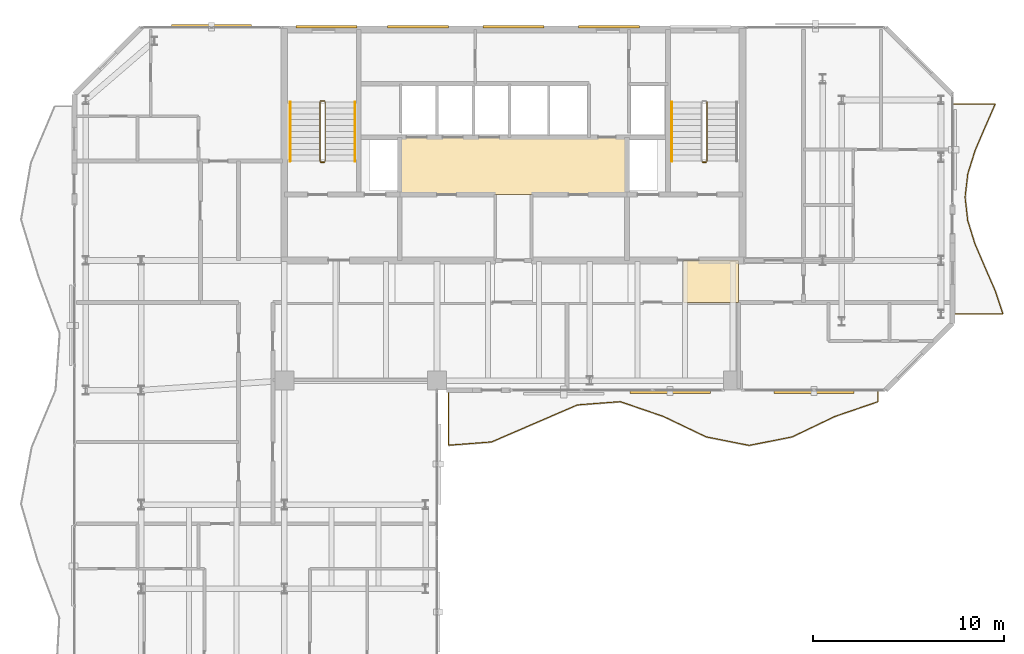
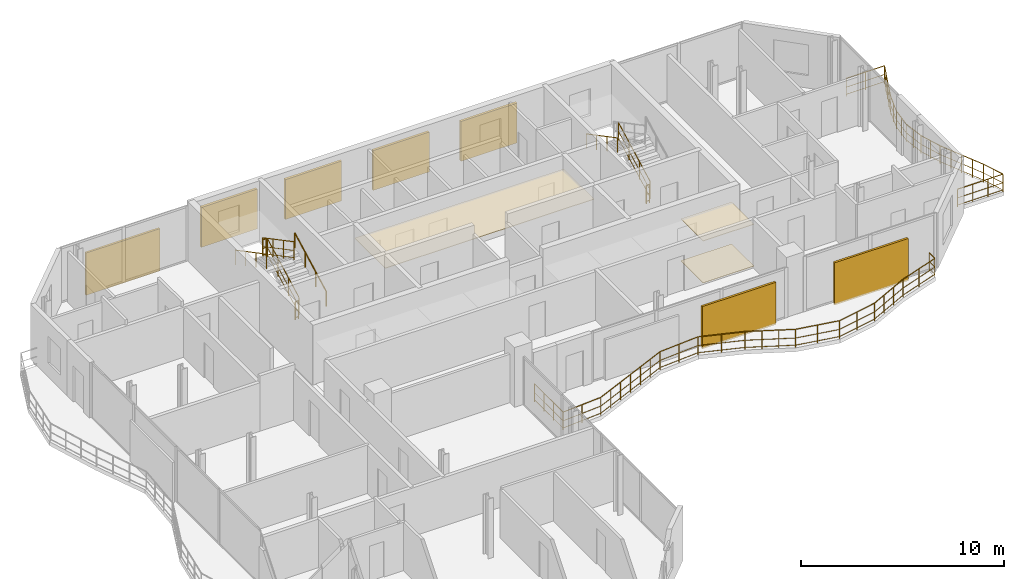
# One storey, part 22 of 23: 11 railings, 7 shading devices, 3 coverings.
"""IFC4 building model written with IfcOpenShell, lengths in metres."""

from ifc_helpers import new_model, si_unit, direction, frame, origin, origin_2d, place, context, subcontext, project, spatial, polyline, rectangle, circle, outline, extrude, material, layer, layer_set, type_object, element, save


model = new_model("IFC4")

# Units and contexts
model_context = context("Model", 3, precision=1e-05, world=origin(), true_north=direction((0.0, 1.0)))
body_context = subcontext(model_context, "Body", "Model", "MODEL_VIEW")
ifc_project = project(units=[si_unit("LENGTHUNIT", "METRE"), si_unit("AREAUNIT", "SQUARE_METRE"), si_unit("VOLUMEUNIT", "CUBIC_METRE"), si_unit("PLANEANGLEUNIT", "RADIAN"), si_unit("MASSUNIT", "GRAM", prefix="KILO")], contexts=[model_context])

# Site, building, storey
site_placement = place(None, origin())
site = spatial("IfcSite", under=ifc_project, at=site_placement, CompositionType="ELEMENT")
building_placement = place(site_placement, origin())
building = spatial("IfcBuilding", under=site, at=building_placement, Name="Catumbela Crestline Tower", CompositionType="ELEMENT")
storey_placement = place(building_placement, frame((0.0, 0.0, 197.4)))
storey = spatial("IfcBuildingStorey", under=building, at=storey_placement, Name="L51", CompositionType="ELEMENT", Elevation=197.4)

# Coverings
ifc_material_1 = material(Name="Mineral-fibre acoustic ceiling")
ifc_layer_1 = layer(ifc_material_1, 0.03, Name="Mineral-fibre acoustic ceiling")
ifc_layer_set_1 = layer_set([ifc_layer_1], Name="Mineral-fibre acoustic ceiling")
covering_type_1 = type_object("IfcCoveringType", Name="CC-AC", PredefinedType="CEILING", material=ifc_layer_set_1)
covering_1_placement = place(storey_placement, frame((0.0, 0.0, 2.65)))
element("IfcCovering", 1, at=covering_1_placement, inside=storey, type_object=covering_type_1, Name="L51 Lift Lobby Acoustic Ceiling", PredefinedType="CEILING", context=body_context, shape_type="SweptSolid", body=[
    extrude(outline(polyline([(22.05, 34.25), (33.95, 34.25), (33.95, 37.25), (22.05, 37.25), (22.05, 34.25)])), origin(), (0.0, 0.0, 1.0), 0.03),
])
covering_2_placement = place(storey_placement, frame((0.0, 0.0, 2.52)))
element("IfcCovering", 2, at=covering_2_placement, inside=storey, type_object=covering_type_1, Name="L51 Corridor Acoustic Ceiling Bay 8", PredefinedType="CEILING", context=body_context, shape_type="SweptSolid", body=[
    extrude(outline(polyline([(36.9, 28.6), (39.8, 28.6), (39.8, 30.8), (36.9, 30.8), (36.9, 28.6)])), origin(), (0.0, 0.0, 1.0), 0.03),
])
ifc_material_2 = material(Name="Angolan grey-ochre granite", Category="masonry")
ifc_layer_2 = layer(ifc_material_2, 0.025, Name="Angolan grey-ochre granite")
ifc_layer_set_2 = layer_set([ifc_layer_2], Name="Angolan grey-ochre granite")
covering_type_2 = type_object("IfcCoveringType", Name="CF-GR", PredefinedType="FLOORING", material=ifc_layer_set_2)
covering_3_placement = place(storey_placement, origin())
element("IfcCovering", 3, at=covering_3_placement, inside=storey, type_object=covering_type_2, Name="L51 Corridor Granite Flooring Bay 8", PredefinedType="FLOORING", context=body_context, shape_type="SweptSolid", body=[
    extrude(outline(polyline([(36.9, 28.6), (39.8, 28.6), (39.8, 30.8), (36.9, 30.8), (36.9, 28.6)])), origin(), (0.0, 0.0, 1.0), 0.025),
])

# Railings
ifc_material_3 = material(Name="Stainless steel EN 1.4401", Category="steel")
railing_type_1 = type_object("IfcRailingType", Name="RB-1100", PredefinedType="BALUSTRADE", material=ifc_material_3)
railing_1_placement = place(storey_placement, frame((24.6, 23.94, 0.0)))
element("IfcRailing", 4, at=railing_1_placement, inside=storey, type_object=railing_type_1, Name="L51 Private Wave Balcony Balustrade 1", PredefinedType="BALUSTRADE", context=body_context, shape_type="SweptSolid", body=[
    extrude(circle(Radius=0.024, at=origin_2d()), frame((0.0, 0.0, 1.076), z_axis=(0.0, -1.0, 0.0), x_axis=(1.0, 0.0, 0.0)), (0.0, 0.0, 1.0), 2.8213),
    extrude(circle(Radius=0.0156, at=origin_2d()), frame((0.0, 0.0, 0.55), z_axis=(0.0, -1.0, 0.0), x_axis=(1.0, 0.0, 0.0)), (0.0, 0.0, 1.0), 2.8213),
    extrude(circle(Radius=0.0156, at=origin_2d()), frame((0.0, 0.0, 0.12), z_axis=(0.0, -1.0, 0.0), x_axis=(1.0, 0.0, 0.0)), (0.0, 0.0, 1.0), 2.8213),
    extrude(circle(Radius=0.024, at=origin_2d()), frame((0.0, -2.8213, 1.076), z_axis=(0.997141170455, 0.075561142028, 0.0), x_axis=(-0.075561142028, 0.997141170455, 0.0)), (0.0, 0.0, 1.0), 2.2565),
    extrude(circle(Radius=0.0156, at=origin_2d()), frame((0.0, -2.8213, 0.55), z_axis=(0.997141170455, 0.075561142028, 0.0), x_axis=(-0.075561142028, 0.997141170455, 0.0)), (0.0, 0.0, 1.0), 2.2565),
    extrude(circle(Radius=0.0156, at=origin_2d()), frame((0.0, -2.8213, 0.12), z_axis=(0.997141170455, 0.075561142028, 0.0), x_axis=(-0.075561142028, 0.997141170455, 0.0)), (0.0, 0.0, 1.0), 2.2565),
    extrude(circle(Radius=0.024, at=origin_2d()), frame((2.25, -2.6508, 1.076), z_axis=(0.918179780553, 0.396163969316, 0.0), x_axis=(-0.396163969316, 0.918179780553, 0.0)), (0.0, 0.0, 1.0), 2.4505),
    extrude(circle(Radius=0.0156, at=origin_2d()), frame((2.25, -2.6508, 0.55), z_axis=(0.918179780553, 0.396163969316, 0.0), x_axis=(-0.396163969316, 0.918179780553, 0.0)), (0.0, 0.0, 1.0), 2.4505),
    extrude(circle(Radius=0.0156, at=origin_2d()), frame((2.25, -2.6508, 0.12), z_axis=(0.918179780553, 0.396163969316, 0.0), x_axis=(-0.396163969316, 0.918179780553, 0.0)), (0.0, 0.0, 1.0), 2.4505),
    extrude(circle(Radius=0.024, at=origin_2d()), frame((4.5, -1.68, 1.076), z_axis=(0.918179780553, 0.396163969316, 0.0), x_axis=(-0.396163969316, 0.918179780553, 0.0)), (0.0, 0.0, 1.0), 2.4505),
    extrude(circle(Radius=0.0156, at=origin_2d()), frame((4.5, -1.68, 0.55), z_axis=(0.918179780553, 0.396163969316, 0.0), x_axis=(-0.396163969316, 0.918179780553, 0.0)), (0.0, 0.0, 1.0), 2.4505),
    extrude(circle(Radius=0.0156, at=origin_2d()), frame((4.5, -1.68, 0.12), z_axis=(0.918179780553, 0.396163969316, 0.0), x_axis=(-0.396163969316, 0.918179780553, 0.0)), (0.0, 0.0, 1.0), 2.4505),
    extrude(circle(Radius=0.024, at=origin_2d()), frame((6.75, -0.7092, 1.076), z_axis=(0.997141170455, 0.075561142028, 0.0), x_axis=(-0.075561142028, 0.997141170455, 0.0)), (0.0, 0.0, 1.0), 2.2565),
    extrude(circle(Radius=0.0156, at=origin_2d()), frame((6.75, -0.7092, 0.55), z_axis=(0.997141170455, 0.075561142028, 0.0), x_axis=(-0.075561142028, 0.997141170455, 0.0)), (0.0, 0.0, 1.0), 2.2565),
    extrude(circle(Radius=0.0156, at=origin_2d()), frame((6.75, -0.7092, 0.12), z_axis=(0.997141170455, 0.075561142028, 0.0), x_axis=(-0.075561142028, 0.997141170455, 0.0)), (0.0, 0.0, 1.0), 2.2565),
    extrude(circle(Radius=0.024, at=origin_2d()), frame((9.0, -0.5387, 1.076), z_axis=(0.946065665735, -0.323974931311, 0.0), x_axis=(0.323974931311, 0.946065665735, 0.0)), (0.0, 0.0, 1.0), 2.3783),
    extrude(circle(Radius=0.0156, at=origin_2d()), frame((9.0, -0.5387, 0.55), z_axis=(0.946065665735, -0.323974931311, 0.0), x_axis=(0.323974931311, 0.946065665735, 0.0)), (0.0, 0.0, 1.0), 2.3783),
    extrude(circle(Radius=0.0156, at=origin_2d()), frame((9.0, -0.5387, 0.12), z_axis=(0.946065665735, -0.323974931311, 0.0), x_axis=(0.323974931311, 0.946065665735, 0.0)), (0.0, 0.0, 1.0), 2.3783),
    extrude(circle(Radius=0.024, at=origin_2d()), frame((11.25, -1.3092, 1.076), z_axis=(0.902132186045, -0.431459753513, 0.0), x_axis=(0.431459753513, 0.902132186045, 0.0)), (0.0, 0.0, 1.0), 2.4941),
    extrude(circle(Radius=0.0156, at=origin_2d()), frame((11.25, -1.3092, 0.55), z_axis=(0.902132186045, -0.431459753513, 0.0), x_axis=(0.431459753513, 0.902132186045, 0.0)), (0.0, 0.0, 1.0), 2.4941),
    extrude(circle(Radius=0.0156, at=origin_2d()), frame((11.25, -1.3092, 0.12), z_axis=(0.902132186045, -0.431459753513, 0.0), x_axis=(0.431459753513, 0.902132186045, 0.0)), (0.0, 0.0, 1.0), 2.4941),
    extrude(circle(Radius=0.024, at=origin_2d()), frame((13.5, -2.3853, 1.076), z_axis=(0.981022553047, -0.193893657484, 0.0), x_axis=(0.193893657484, 0.981022553047, 0.0)), (0.0, 0.0, 1.0), 2.2935),
    extrude(circle(Radius=0.0156, at=origin_2d()), frame((13.5, -2.3853, 0.55), z_axis=(0.981022553047, -0.193893657484, 0.0), x_axis=(0.193893657484, 0.981022553047, 0.0)), (0.0, 0.0, 1.0), 2.2935),
    extrude(circle(Radius=0.0156, at=origin_2d()), frame((13.5, -2.3853, 0.12), z_axis=(0.981022553047, -0.193893657484, 0.0), x_axis=(0.193893657484, 0.981022553047, 0.0)), (0.0, 0.0, 1.0), 2.2935),
    extrude(circle(Radius=0.024, at=origin_2d()), frame((15.75, -2.83, 1.076), z_axis=(0.981022553047, 0.193893657484, 0.0), x_axis=(-0.193893657484, 0.981022553047, 0.0)), (0.0, 0.0, 1.0), 2.2935),
    extrude(circle(Radius=0.0156, at=origin_2d()), frame((15.75, -2.83, 0.55), z_axis=(0.981022553047, 0.193893657484, 0.0), x_axis=(-0.193893657484, 0.981022553047, 0.0)), (0.0, 0.0, 1.0), 2.2935),
    extrude(circle(Radius=0.0156, at=origin_2d()), frame((15.75, -2.83, 0.12), z_axis=(0.981022553047, 0.193893657484, 0.0), x_axis=(-0.193893657484, 0.981022553047, 0.0)), (0.0, 0.0, 1.0), 2.2935),
    extrude(circle(Radius=0.024, at=origin_2d()), frame((18.0, -2.3853, 1.076), z_axis=(0.902132186045, 0.431459753513, 0.0), x_axis=(-0.431459753513, 0.902132186045, 0.0)), (0.0, 0.0, 1.0), 2.4941),
    extrude(circle(Radius=0.0156, at=origin_2d()), frame((18.0, -2.3853, 0.55), z_axis=(0.902132186045, 0.431459753513, 0.0), x_axis=(-0.431459753513, 0.902132186045, 0.0)), (0.0, 0.0, 1.0), 2.4941),
    extrude(circle(Radius=0.0156, at=origin_2d()), frame((18.0, -2.3853, 0.12), z_axis=(0.902132186045, 0.431459753513, 0.0), x_axis=(-0.431459753513, 0.902132186045, 0.0)), (0.0, 0.0, 1.0), 2.4941),
    extrude(circle(Radius=0.024, at=origin_2d()), frame((20.25, -1.3092, 1.076), z_axis=(0.946065665735, 0.323974931311, 0.0), x_axis=(-0.323974931311, 0.946065665735, 0.0)), (0.0, 0.0, 1.0), 2.3783),
    extrude(circle(Radius=0.0156, at=origin_2d()), frame((20.25, -1.3092, 0.55), z_axis=(0.946065665735, 0.323974931311, 0.0), x_axis=(-0.323974931311, 0.946065665735, 0.0)), (0.0, 0.0, 1.0), 2.3783),
    extrude(circle(Radius=0.0156, at=origin_2d()), frame((20.25, -1.3092, 0.12), z_axis=(0.946065665735, 0.323974931311, 0.0), x_axis=(-0.323974931311, 0.946065665735, 0.0)), (0.0, 0.0, 1.0), 2.3783),
    extrude(circle(Radius=0.024, at=origin_2d()), frame((22.5, -0.5387, 1.076), z_axis=(0.0, 1.0, 0.0), x_axis=(-1.0, 0.0, 0.0)), (0.0, 0.0, 1.0), 0.5387),
    extrude(circle(Radius=0.0156, at=origin_2d()), frame((22.5, -0.5387, 0.55), z_axis=(0.0, 1.0, 0.0), x_axis=(-1.0, 0.0, 0.0)), (0.0, 0.0, 1.0), 0.5387),
    extrude(circle(Radius=0.0156, at=origin_2d()), frame((22.5, -0.5387, 0.12), z_axis=(0.0, 1.0, 0.0), x_axis=(-1.0, 0.0, 0.0)), (0.0, 0.0, 1.0), 0.5387),
    extrude(circle(Radius=0.021, at=origin_2d()), origin(), (0.0, 0.0, 1.0), 1.052),
    extrude(circle(Radius=0.021, at=origin_2d()), frame((0.0, -0.9404, 0.0)), (0.0, 0.0, 1.0), 1.052),
    extrude(circle(Radius=0.021, at=origin_2d()), frame((0.0, -1.8809, 0.0)), (0.0, 0.0, 1.0), 1.052),
    extrude(circle(Radius=0.021, at=origin_2d()), frame((0.0, -2.8213, 0.0)), (0.0, 0.0, 1.0), 1.052),
    extrude(circle(Radius=0.021, at=origin_2d()), frame((1.125, -2.7361, 0.0)), (0.0, 0.0, 1.0), 1.052),
    extrude(circle(Radius=0.021, at=origin_2d()), frame((2.25, -2.6508, 0.0)), (0.0, 0.0, 1.0), 1.052),
    extrude(circle(Radius=0.021, at=origin_2d()), frame((3.0, -2.3272, 0.0)), (0.0, 0.0, 1.0), 1.052),
    extrude(circle(Radius=0.021, at=origin_2d()), frame((3.75, -2.0036, 0.0)), (0.0, 0.0, 1.0), 1.052),
    extrude(circle(Radius=0.021, at=origin_2d()), frame((4.5, -1.68, 0.0)), (0.0, 0.0, 1.0), 1.052),
    extrude(circle(Radius=0.021, at=origin_2d()), frame((5.25, -1.3564, 0.0)), (0.0, 0.0, 1.0), 1.052),
    extrude(circle(Radius=0.021, at=origin_2d()), frame((6.0, -1.0328, 0.0)), (0.0, 0.0, 1.0), 1.052),
    extrude(circle(Radius=0.021, at=origin_2d()), frame((6.75, -0.7092, 0.0)), (0.0, 0.0, 1.0), 1.052),
    extrude(circle(Radius=0.021, at=origin_2d()), frame((7.875, -0.624, 0.0)), (0.0, 0.0, 1.0), 1.052),
    extrude(circle(Radius=0.021, at=origin_2d()), frame((9.0, -0.5387, 0.0)), (0.0, 0.0, 1.0), 1.052),
    extrude(circle(Radius=0.021, at=origin_2d()), frame((10.125, -0.924, 0.0)), (0.0, 0.0, 1.0), 1.052),
    extrude(circle(Radius=0.021, at=origin_2d()), frame((11.25, -1.3092, 0.0)), (0.0, 0.0, 1.0), 1.052),
    extrude(circle(Radius=0.021, at=origin_2d()), frame((12.0, -1.6679, 0.0)), (0.0, 0.0, 1.0), 1.052),
    extrude(circle(Radius=0.021, at=origin_2d()), frame((12.75, -2.0266, 0.0)), (0.0, 0.0, 1.0), 1.052),
    extrude(circle(Radius=0.021, at=origin_2d()), frame((13.5, -2.3853, 0.0)), (0.0, 0.0, 1.0), 1.052),
    extrude(circle(Radius=0.021, at=origin_2d()), frame((14.625, -2.6077, 0.0)), (0.0, 0.0, 1.0), 1.052),
    extrude(circle(Radius=0.021, at=origin_2d()), frame((15.75, -2.83, 0.0)), (0.0, 0.0, 1.0), 1.052),
    extrude(circle(Radius=0.021, at=origin_2d()), frame((16.875, -2.6077, 0.0)), (0.0, 0.0, 1.0), 1.052),
    extrude(circle(Radius=0.021, at=origin_2d()), frame((18.0, -2.3853, 0.0)), (0.0, 0.0, 1.0), 1.052),
    extrude(circle(Radius=0.021, at=origin_2d()), frame((18.75, -2.0266, 0.0)), (0.0, 0.0, 1.0), 1.052),
    extrude(circle(Radius=0.021, at=origin_2d()), frame((19.5, -1.6679, 0.0)), (0.0, 0.0, 1.0), 1.052),
    extrude(circle(Radius=0.021, at=origin_2d()), frame((20.25, -1.3092, 0.0)), (0.0, 0.0, 1.0), 1.052),
    extrude(circle(Radius=0.021, at=origin_2d()), frame((21.375, -0.924, 0.0)), (0.0, 0.0, 1.0), 1.052),
    extrude(circle(Radius=0.021, at=origin_2d()), frame((22.5, -0.5387, 0.0)), (0.0, 0.0, 1.0), 1.052),
    extrude(circle(Radius=0.021, at=origin_2d()), frame((22.5, 0.0, 0.0)), (0.0, 0.0, 1.0), 1.052),
])
railing_2_placement = place(storey_placement, frame((51.06, 28.0, 0.0)))
element("IfcRailing", 5, at=railing_2_placement, inside=storey, type_object=railing_type_1, Name="L51 Private Wave Balcony Balustrade 2", PredefinedType="BALUSTRADE", context=body_context, shape_type="SweptSolid", body=[
    extrude(circle(Radius=0.024, at=origin_2d()), frame((0.0, 0.0, 1.076), z_axis=(1.0, 0.0, 0.0), x_axis=(0.0, 1.0, 0.0)), (0.0, 0.0, 1.0), 2.5799),
    extrude(circle(Radius=0.0156, at=origin_2d()), frame((0.0, 0.0, 0.55), z_axis=(1.0, 0.0, 0.0), x_axis=(0.0, 1.0, 0.0)), (0.0, 0.0, 1.0), 2.5799),
    extrude(circle(Radius=0.0156, at=origin_2d()), frame((0.0, 0.0, 0.12), z_axis=(1.0, 0.0, 0.0), x_axis=(0.0, 1.0, 0.0)), (0.0, 0.0, 1.0), 2.5799),
    extrude(circle(Radius=0.024, at=origin_2d()), frame((2.5799, 0.0, 1.076), z_axis=(-0.316576995993, 0.948566816628, 0.0), x_axis=(-0.948566816628, -0.316576995993, 0.0)), (0.0, 0.0, 1.0), 1.2885),
    extrude(circle(Radius=0.0156, at=origin_2d()), frame((2.5799, 0.0, 0.55), z_axis=(-0.316576995993, 0.948566816628, 0.0), x_axis=(-0.948566816628, -0.316576995993, 0.0)), (0.0, 0.0, 1.0), 1.2885),
    extrude(circle(Radius=0.0156, at=origin_2d()), frame((2.5799, 0.0, 0.12), z_axis=(-0.316576995993, 0.948566816628, 0.0), x_axis=(-0.948566816628, -0.316576995993, 0.0)), (0.0, 0.0, 1.0), 1.2885),
    extrude(circle(Radius=0.024, at=origin_2d()), frame((2.172, 1.2222, 1.076), z_axis=(-0.400433361112, 0.916325882702, 0.0), x_axis=(-0.916325882702, -0.400433361112, 0.0)), (0.0, 0.0, 1.0), 1.3338),
    extrude(circle(Radius=0.0156, at=origin_2d()), frame((2.172, 1.2222, 0.55), z_axis=(-0.400433361112, 0.916325882702, 0.0), x_axis=(-0.916325882702, -0.400433361112, 0.0)), (0.0, 0.0, 1.0), 1.3338),
    extrude(circle(Radius=0.0156, at=origin_2d()), frame((2.172, 1.2222, 0.12), z_axis=(-0.400433361112, 0.916325882702, 0.0), x_axis=(-0.916325882702, -0.400433361112, 0.0)), (0.0, 0.0, 1.0), 1.3338),
    extrude(circle(Radius=0.024, at=origin_2d()), frame((1.6379, 2.4444, 1.076), z_axis=(-0.39357434186, 0.919292792003, 0.0), x_axis=(-0.919292792003, -0.39357434186, 0.0)), (0.0, 0.0, 1.0), 1.3296),
    extrude(circle(Radius=0.0156, at=origin_2d()), frame((1.6379, 2.4444, 0.55), z_axis=(-0.39357434186, 0.919292792003, 0.0), x_axis=(-0.919292792003, -0.39357434186, 0.0)), (0.0, 0.0, 1.0), 1.3296),
    extrude(circle(Radius=0.0156, at=origin_2d()), frame((1.6379, 2.4444, 0.12), z_axis=(-0.39357434186, 0.919292792003, 0.0), x_axis=(-0.919292792003, -0.39357434186, 0.0)), (0.0, 0.0, 1.0), 1.3296),
    extrude(circle(Radius=0.024, at=origin_2d()), frame((1.1146, 3.6667, 1.076), z_axis=(-0.295683728071, 0.955285890691, 0.0), x_axis=(-0.955285890691, -0.295683728071, 0.0)), (0.0, 0.0, 1.0), 1.2794),
    extrude(circle(Radius=0.0156, at=origin_2d()), frame((1.1146, 3.6667, 0.55), z_axis=(-0.295683728071, 0.955285890691, 0.0), x_axis=(-0.955285890691, -0.295683728071, 0.0)), (0.0, 0.0, 1.0), 1.2794),
    extrude(circle(Radius=0.0156, at=origin_2d()), frame((1.1146, 3.6667, 0.12), z_axis=(-0.295683728071, 0.955285890691, 0.0), x_axis=(-0.955285890691, -0.295683728071, 0.0)), (0.0, 0.0, 1.0), 1.2794),
    extrude(circle(Radius=0.024, at=origin_2d()), frame((0.7363, 4.8889, 1.076), z_axis=(-0.110833136696, 0.993839029124, 0.0), x_axis=(-0.993839029124, -0.110833136696, 0.0)), (0.0, 0.0, 1.0), 1.2298),
    extrude(circle(Radius=0.0156, at=origin_2d()), frame((0.7363, 4.8889, 0.55), z_axis=(-0.110833136696, 0.993839029124, 0.0), x_axis=(-0.993839029124, -0.110833136696, 0.0)), (0.0, 0.0, 1.0), 1.2298),
    extrude(circle(Radius=0.0156, at=origin_2d()), frame((0.7363, 4.8889, 0.12), z_axis=(-0.110833136696, 0.993839029124, 0.0), x_axis=(-0.993839029124, -0.110833136696, 0.0)), (0.0, 0.0, 1.0), 1.2298),
    extrude(circle(Radius=0.024, at=origin_2d()), frame((0.6, 6.1111, 1.076), z_axis=(0.114284727476, 0.99344803642, 0.0), x_axis=(-0.99344803642, 0.114284727476, 0.0)), (0.0, 0.0, 1.0), 1.2303),
    extrude(circle(Radius=0.0156, at=origin_2d()), frame((0.6, 6.1111, 0.55), z_axis=(0.114284727476, 0.99344803642, 0.0), x_axis=(-0.99344803642, 0.114284727476, 0.0)), (0.0, 0.0, 1.0), 1.2303),
    extrude(circle(Radius=0.0156, at=origin_2d()), frame((0.6, 6.1111, 0.12), z_axis=(0.114284727476, 0.99344803642, 0.0), x_axis=(-0.99344803642, 0.114284727476, 0.0)), (0.0, 0.0, 1.0), 1.2303),
    extrude(circle(Radius=0.024, at=origin_2d()), frame((0.7406, 7.3333, 1.076), z_axis=(0.297941463031, 0.954584142235, 0.0), x_axis=(-0.954584142235, 0.297941463031, 0.0)), (0.0, 0.0, 1.0), 1.2805),
    extrude(circle(Radius=0.0156, at=origin_2d()), frame((0.7406, 7.3333, 0.55), z_axis=(0.297941463031, 0.954584142235, 0.0), x_axis=(-0.954584142235, 0.297941463031, 0.0)), (0.0, 0.0, 1.0), 1.2805),
    extrude(circle(Radius=0.0156, at=origin_2d()), frame((0.7406, 7.3333, 0.12), z_axis=(0.297941463031, 0.954584142235, 0.0), x_axis=(-0.954584142235, 0.297941463031, 0.0)), (0.0, 0.0, 1.0), 1.2805),
    extrude(circle(Radius=0.024, at=origin_2d()), frame((1.1221, 8.5556, 1.076), z_axis=(0.394427394144, 0.918927108507, 0.0), x_axis=(-0.918927108507, 0.394427394144, 0.0)), (0.0, 0.0, 1.0), 1.33),
    extrude(circle(Radius=0.0156, at=origin_2d()), frame((1.1221, 8.5556, 0.55), z_axis=(0.394427394144, 0.918927108507, 0.0), x_axis=(-0.918927108507, 0.394427394144, 0.0)), (0.0, 0.0, 1.0), 1.33),
    extrude(circle(Radius=0.0156, at=origin_2d()), frame((1.1221, 8.5556, 0.12), z_axis=(0.394427394144, 0.918927108507, 0.0), x_axis=(-0.918927108507, 0.394427394144, 0.0)), (0.0, 0.0, 1.0), 1.33),
    extrude(circle(Radius=0.024, at=origin_2d()), frame((1.6467, 9.7778, 1.076), z_axis=(0.399803560484, 0.916600847165, 0.0), x_axis=(-0.916600847165, 0.399803560484, 0.0)), (0.0, 0.0, 1.0), 1.3334),
    extrude(circle(Radius=0.0156, at=origin_2d()), frame((1.6467, 9.7778, 0.55), z_axis=(0.399803560484, 0.916600847165, 0.0), x_axis=(-0.916600847165, 0.399803560484, 0.0)), (0.0, 0.0, 1.0), 1.3334),
    extrude(circle(Radius=0.0156, at=origin_2d()), frame((1.6467, 9.7778, 0.12), z_axis=(0.399803560484, 0.916600847165, 0.0), x_axis=(-0.916600847165, 0.399803560484, 0.0)), (0.0, 0.0, 1.0), 1.3334),
    extrude(circle(Radius=0.024, at=origin_2d()), frame((2.1798, 11.0, 1.076), z_axis=(-1.0, 0.0, 0.0), x_axis=(0.0, -1.0, 0.0)), (0.0, 0.0, 1.0), 2.1798),
    extrude(circle(Radius=0.0156, at=origin_2d()), frame((2.1798, 11.0, 0.55), z_axis=(-1.0, 0.0, 0.0), x_axis=(0.0, -1.0, 0.0)), (0.0, 0.0, 1.0), 2.1798),
    extrude(circle(Radius=0.0156, at=origin_2d()), frame((2.1798, 11.0, 0.12), z_axis=(-1.0, 0.0, 0.0), x_axis=(0.0, -1.0, 0.0)), (0.0, 0.0, 1.0), 2.1798),
    extrude(circle(Radius=0.021, at=origin_2d()), origin(), (0.0, 0.0, 1.0), 1.052),
    extrude(circle(Radius=0.021, at=origin_2d()), frame((0.86, 0.0, 0.0)), (0.0, 0.0, 1.0), 1.052),
    extrude(circle(Radius=0.021, at=origin_2d()), frame((1.7199, 0.0, 0.0)), (0.0, 0.0, 1.0), 1.052),
    extrude(circle(Radius=0.021, at=origin_2d()), frame((2.5799, 0.0, 0.0)), (0.0, 0.0, 1.0), 1.052),
    extrude(circle(Radius=0.021, at=origin_2d()), frame((2.3759, 0.6111, 0.0)), (0.0, 0.0, 1.0), 1.052),
    extrude(circle(Radius=0.021, at=origin_2d()), frame((2.172, 1.2222, 0.0)), (0.0, 0.0, 1.0), 1.052),
    extrude(circle(Radius=0.021, at=origin_2d()), frame((1.9049, 1.8333, 0.0)), (0.0, 0.0, 1.0), 1.052),
    extrude(circle(Radius=0.021, at=origin_2d()), frame((1.6379, 2.4444, 0.0)), (0.0, 0.0, 1.0), 1.052),
    extrude(circle(Radius=0.021, at=origin_2d()), frame((1.3762, 3.0556, 0.0)), (0.0, 0.0, 1.0), 1.052),
    extrude(circle(Radius=0.021, at=origin_2d()), frame((1.1146, 3.6667, 0.0)), (0.0, 0.0, 1.0), 1.052),
    extrude(circle(Radius=0.021, at=origin_2d()), frame((0.9254, 4.2778, 0.0)), (0.0, 0.0, 1.0), 1.052),
    extrude(circle(Radius=0.021, at=origin_2d()), frame((0.7363, 4.8889, 0.0)), (0.0, 0.0, 1.0), 1.052),
    extrude(circle(Radius=0.021, at=origin_2d()), frame((0.6681, 5.5, 0.0)), (0.0, 0.0, 1.0), 1.052),
    extrude(circle(Radius=0.021, at=origin_2d()), frame((0.6, 6.1111, 0.0)), (0.0, 0.0, 1.0), 1.052),
    extrude(circle(Radius=0.021, at=origin_2d()), frame((0.6703, 6.7222, 0.0)), (0.0, 0.0, 1.0), 1.052),
    extrude(circle(Radius=0.021, at=origin_2d()), frame((0.7406, 7.3333, 0.0)), (0.0, 0.0, 1.0), 1.052),
    extrude(circle(Radius=0.021, at=origin_2d()), frame((0.9313, 7.9444, 0.0)), (0.0, 0.0, 1.0), 1.052),
    extrude(circle(Radius=0.021, at=origin_2d()), frame((1.1221, 8.5556, 0.0)), (0.0, 0.0, 1.0), 1.052),
    extrude(circle(Radius=0.021, at=origin_2d()), frame((1.3844, 9.1667, 0.0)), (0.0, 0.0, 1.0), 1.052),
    extrude(circle(Radius=0.021, at=origin_2d()), frame((1.6467, 9.7778, 0.0)), (0.0, 0.0, 1.0), 1.052),
    extrude(circle(Radius=0.021, at=origin_2d()), frame((1.9132, 10.3889, 0.0)), (0.0, 0.0, 1.0), 1.052),
    extrude(circle(Radius=0.021, at=origin_2d()), frame((2.1798, 11.0, 0.0)), (0.0, 0.0, 1.0), 1.052),
    extrude(circle(Radius=0.021, at=origin_2d()), frame((1.0899, 11.0, 0.0)), (0.0, 0.0, 1.0), 1.052),
    extrude(circle(Radius=0.021, at=origin_2d()), frame((0.0, 11.0, 0.0)), (0.0, 0.0, 1.0), 1.052),
])
railing_type_2 = type_object("IfcRailingType", Name="RG-1100", PredefinedType="GUARDRAIL", material=ifc_material_3)
railing_3_placement = place(storey_placement, frame((18.14, 36.0, 0.1636)))
element("IfcRailing", 6, at=railing_3_placement, inside=storey, type_object=railing_type_2, Name="L51 ST-01 stair guard 1", PredefinedType="GUARDRAIL", context=body_context, shape_type="SweptSolid", body=[
    extrude(circle(Radius=0.024, at=origin_2d()), frame((0.0, 0.0, 1.076), z_axis=(0.0, 0.884350731049, 0.466823076222), x_axis=(-1.0, 0.0, 0.0)), (0.0, 0.0, 1.0), 3.5054),
    extrude(circle(Radius=0.0156, at=origin_2d()), frame((0.0, 0.0, 0.55), z_axis=(0.0, 0.884350731049, 0.466823076222), x_axis=(-1.0, 0.0, 0.0)), (0.0, 0.0, 1.0), 3.5054),
    extrude(circle(Radius=0.0156, at=origin_2d()), frame((0.0, 0.0, 0.12), z_axis=(0.0, 0.884350731049, 0.466823076222), x_axis=(-1.0, 0.0, 0.0)), (0.0, 0.0, 1.0), 3.5054),
    extrude(circle(Radius=0.021, at=origin_2d()), origin(), (0.0, 0.0, 1.0), 1.052),
    extrude(circle(Radius=0.021, at=origin_2d()), frame((0.0, 1.0333, 0.5455)), (0.0, 0.0, 1.0), 1.052),
    extrude(circle(Radius=0.021, at=origin_2d()), frame((0.0, 2.0667, 1.0909)), (0.0, 0.0, 1.0), 1.052),
    extrude(circle(Radius=0.021, at=origin_2d()), frame((0.0, 3.1, 1.6364)), (0.0, 0.0, 1.0), 1.052),
])
railing_4_placement = place(storey_placement, frame((18.09, 39.15, 1.8)))
element("IfcRailing", 7, at=railing_4_placement, inside=storey, type_object=railing_type_2, Name="L51 ST-01 stair guard 2", PredefinedType="GUARDRAIL", context=body_context, shape_type="SweptSolid", body=[
    extrude(circle(Radius=0.024, at=origin_2d()), frame((0.0, 0.0, 1.076), z_axis=(-1.0, 0.0, 0.0), x_axis=(0.0, -1.0, 0.0)), (0.0, 0.0, 1.0), 0.18),
    extrude(circle(Radius=0.0156, at=origin_2d()), frame((0.0, 0.0, 0.55), z_axis=(-1.0, 0.0, 0.0), x_axis=(0.0, -1.0, 0.0)), (0.0, 0.0, 1.0), 0.18),
    extrude(circle(Radius=0.0156, at=origin_2d()), frame((0.0, 0.0, 0.12), z_axis=(-1.0, 0.0, 0.0), x_axis=(0.0, -1.0, 0.0)), (0.0, 0.0, 1.0), 0.18),
    extrude(circle(Radius=0.021, at=origin_2d()), origin(), (0.0, 0.0, 1.0), 1.052),
    extrude(circle(Radius=0.021, at=origin_2d()), frame((-0.18, 0.0, 0.0)), (0.0, 0.0, 1.0), 1.052),
])
railing_5_placement = place(storey_placement, frame((17.86, 39.1, 1.9636)))
element("IfcRailing", 8, at=railing_5_placement, inside=storey, type_object=railing_type_2, Name="L51 ST-01 stair guard 3", PredefinedType="GUARDRAIL", context=body_context, shape_type="SweptSolid", body=[
    extrude(circle(Radius=0.024, at=origin_2d()), frame((0.0, 0.0, 1.076), z_axis=(0.0, -0.884350731049, 0.466823076222), x_axis=(1.0, 0.0, 0.0)), (0.0, 0.0, 1.0), 3.5054),
    extrude(circle(Radius=0.0156, at=origin_2d()), frame((0.0, 0.0, 0.55), z_axis=(0.0, -0.884350731049, 0.466823076222), x_axis=(1.0, 0.0, 0.0)), (0.0, 0.0, 1.0), 3.5054),
    extrude(circle(Radius=0.0156, at=origin_2d()), frame((0.0, 0.0, 0.12), z_axis=(0.0, -0.884350731049, 0.466823076222), x_axis=(1.0, 0.0, 0.0)), (0.0, 0.0, 1.0), 3.5054),
    extrude(circle(Radius=0.021, at=origin_2d()), origin(), (0.0, 0.0, 1.0), 1.052),
    extrude(circle(Radius=0.021, at=origin_2d()), frame((0.0, -1.0333, 0.5455)), (0.0, 0.0, 1.0), 1.052),
    extrude(circle(Radius=0.021, at=origin_2d()), frame((0.0, -2.0667, 1.0909)), (0.0, 0.0, 1.0), 1.052),
    extrude(circle(Radius=0.021, at=origin_2d()), frame((0.0, -3.1, 1.6364)), (0.0, 0.0, 1.0), 1.052),
])
railing_6_placement = place(storey_placement, frame((18.09, 35.95, 0.0)))
element("IfcRailing", 9, at=railing_6_placement, inside=storey, type_object=railing_type_2, Name="L51 ST-01 stair guard 4", PredefinedType="GUARDRAIL", context=body_context, shape_type="SweptSolid", body=[
    extrude(circle(Radius=0.024, at=origin_2d()), frame((0.0, 0.0, 1.076), z_axis=(-1.0, 0.0, 0.0), x_axis=(0.0, -1.0, 0.0)), (0.0, 0.0, 1.0), 0.18),
    extrude(circle(Radius=0.0156, at=origin_2d()), frame((0.0, 0.0, 0.55), z_axis=(-1.0, 0.0, 0.0), x_axis=(0.0, -1.0, 0.0)), (0.0, 0.0, 1.0), 0.18),
    extrude(circle(Radius=0.0156, at=origin_2d()), frame((0.0, 0.0, 0.12), z_axis=(-1.0, 0.0, 0.0), x_axis=(0.0, -1.0, 0.0)), (0.0, 0.0, 1.0), 0.18),
    extrude(circle(Radius=0.021, at=origin_2d()), origin(), (0.0, 0.0, 1.0), 1.052),
    extrude(circle(Radius=0.021, at=origin_2d()), frame((-0.18, 0.0, 0.0)), (0.0, 0.0, 1.0), 1.052),
])
railing_7_placement = place(storey_placement, frame((38.14, 36.0, 0.1636)))
element("IfcRailing", 10, at=railing_7_placement, inside=storey, type_object=railing_type_2, Name="L51 ST-02 stair guard 1", PredefinedType="GUARDRAIL", context=body_context, shape_type="SweptSolid", body=[
    extrude(circle(Radius=0.024, at=origin_2d()), frame((0.0, 0.0, 1.076), z_axis=(0.0, 0.884350731049, 0.466823076222), x_axis=(-1.0, 0.0, 0.0)), (0.0, 0.0, 1.0), 3.5054),
    extrude(circle(Radius=0.0156, at=origin_2d()), frame((0.0, 0.0, 0.55), z_axis=(0.0, 0.884350731049, 0.466823076222), x_axis=(-1.0, 0.0, 0.0)), (0.0, 0.0, 1.0), 3.5054),
    extrude(circle(Radius=0.0156, at=origin_2d()), frame((0.0, 0.0, 0.12), z_axis=(0.0, 0.884350731049, 0.466823076222), x_axis=(-1.0, 0.0, 0.0)), (0.0, 0.0, 1.0), 3.5054),
    extrude(circle(Radius=0.021, at=origin_2d()), origin(), (0.0, 0.0, 1.0), 1.052),
    extrude(circle(Radius=0.021, at=origin_2d()), frame((0.0, 1.0333, 0.5455)), (0.0, 0.0, 1.0), 1.052),
    extrude(circle(Radius=0.021, at=origin_2d()), frame((0.0, 2.0667, 1.0909)), (0.0, 0.0, 1.0), 1.052),
    extrude(circle(Radius=0.021, at=origin_2d()), frame((0.0, 3.1, 1.6364)), (0.0, 0.0, 1.0), 1.052),
])
railing_8_placement = place(storey_placement, frame((38.09, 35.95, 0.0)))
element("IfcRailing", 11, at=railing_8_placement, inside=storey, type_object=railing_type_2, Name="L51 ST-02 stair guard 4", PredefinedType="GUARDRAIL", context=body_context, shape_type="SweptSolid", body=[
    extrude(circle(Radius=0.024, at=origin_2d()), frame((0.0, 0.0, 1.076), z_axis=(-1.0, 0.0, 0.0), x_axis=(0.0, -1.0, 0.0)), (0.0, 0.0, 1.0), 0.18),
    extrude(circle(Radius=0.0156, at=origin_2d()), frame((0.0, 0.0, 0.55), z_axis=(-1.0, 0.0, 0.0), x_axis=(0.0, -1.0, 0.0)), (0.0, 0.0, 1.0), 0.18),
    extrude(circle(Radius=0.0156, at=origin_2d()), frame((0.0, 0.0, 0.12), z_axis=(-1.0, 0.0, 0.0), x_axis=(0.0, -1.0, 0.0)), (0.0, 0.0, 1.0), 0.18),
    extrude(circle(Radius=0.021, at=origin_2d()), origin(), (0.0, 0.0, 1.0), 1.052),
    extrude(circle(Radius=0.021, at=origin_2d()), frame((-0.18, 0.0, 0.0)), (0.0, 0.0, 1.0), 1.052),
])
railing_type_3 = type_object("IfcRailingType", Name="RH-0900", PredefinedType="HANDRAIL", material=ifc_material_3)
railing_9_placement = place(storey_placement, frame((19.7, 36.0, 0.1636)))
element("IfcRailing", 12, at=railing_9_placement, inside=storey, type_object=railing_type_3, Name="L51 ST-01 stair handrail 1", PredefinedType="HANDRAIL", context=body_context, shape_type="SweptSolid", body=[
    extrude(circle(Radius=0.024, at=origin_2d()), frame((0.0, 0.0, 0.876), z_axis=(0.0, 0.884350731049, 0.466823076222), x_axis=(-1.0, 0.0, 0.0)), (0.0, 0.0, 1.0), 3.5054),
    extrude(circle(Radius=0.021, at=origin_2d()), origin(), (0.0, 0.0, 1.0), 0.852),
    extrude(circle(Radius=0.021, at=origin_2d()), frame((0.0, 1.0333, 0.5455)), (0.0, 0.0, 1.0), 0.852),
    extrude(circle(Radius=0.021, at=origin_2d()), frame((0.0, 2.0667, 1.0909)), (0.0, 0.0, 1.0), 0.852),
    extrude(circle(Radius=0.021, at=origin_2d()), frame((0.0, 3.1, 1.6364)), (0.0, 0.0, 1.0), 0.852),
])
for number, where, name in (
    (13, (16.3, 39.1, 1.9636), "L51 ST-01 stair handrail 2"),
    (14, (36.3, 39.1, 1.9636), "L51 ST-02 stair handrail 2"),
):
    element("IfcRailing", number, at=place(storey_placement, frame(where)), inside=storey, type_object=railing_type_3, Name=name, PredefinedType="HANDRAIL", context=body_context, shape_type="SweptSolid", body=[
        extrude(circle(Radius=0.024, at=origin_2d()), frame((0.0, 0.0, 0.876), z_axis=(0.0, -0.884350731049, 0.466823076222), x_axis=(1.0, 0.0, 0.0)), (0.0, 0.0, 1.0), 3.5054),
        extrude(circle(Radius=0.021, at=origin_2d()), origin(), (0.0, 0.0, 1.0), 0.852),
        extrude(circle(Radius=0.021, at=origin_2d()), frame((0.0, -1.0333, 0.5455)), (0.0, 0.0, 1.0), 0.852),
        extrude(circle(Radius=0.021, at=origin_2d()), frame((0.0, -2.0667, 1.0909)), (0.0, 0.0, 1.0), 0.852),
        extrude(circle(Radius=0.021, at=origin_2d()), frame((0.0, -3.1, 1.6364)), (0.0, 0.0, 1.0), 0.852),
    ])

# Shading devices
ifc_material_4 = material(Name="Extruded terracotta ceramic", Category="masonry")
shading_device_type_1 = type_object("IfcShadingDeviceType", Name="ST-180", PredefinedType="USERDEFINED", material=ifc_material_4)
shading_device_1_placement = place(storey_placement, frame((23.0, 43.04, 0.55), z_axis=(0.0, 0.0, 1.0), x_axis=(1.0, 0.0, 0.0)))
element("IfcShadingDevice", 15, at=shading_device_1_placement, inside=storey, type_object=shading_device_type_1, Name="L51 Rear Core Terracotta Brise-Soleil Screen 604", ObjectType="SCREEN", PredefinedType="USERDEFINED", context=body_context, shape_type="SweptSolid", body=[
    extrude(rectangle(XDim=3.2, YDim=0.14, at=origin_2d()), origin(), (0.0, 0.0, 1.0), 2.4),
])
for number, where, z_axis, x_axis, name in (
    (16, (36.2125, 23.901, -0.1), (0.0, 0.0, 1.0), (1.0, 0.0, 0.0), "L51 Perforated Terracotta Solar Screen 612 (180 mm)"),
    (17, (43.75, 23.901, -0.1), (0.0, 0.0, 1.0), (1.0, 0.0, 0.0), "L51 Perforated Terracotta Solar Screen 613 (180 mm)"),
    (18, (12.18, 43.099, -0.1), (0.0, 0.0, 1.0), (-1.0, 0.0, 0.0), "L51 Perforated Terracotta Solar Screen 616 (180 mm)"),
):
    element("IfcShadingDevice", number, at=place(storey_placement, frame(where, z_axis=z_axis, x_axis=x_axis)), inside=storey, type_object=shading_device_type_1, Name=name, ObjectType="SCREEN", PredefinedType="USERDEFINED", context=body_context, shape_type="SweptSolid", body=[
        extrude(rectangle(XDim=4.2, YDim=0.12, at=origin_2d()), origin(), (0.0, 0.0, 1.0), 2.55),
    ])
shading_device_type_2 = type_object("IfcShadingDeviceType", Name="ST-260", PredefinedType="USERDEFINED", material=ifc_material_4)
for number, where, z_axis, x_axis, name in (
    (19, (18.2, 43.04, 0.55), (0.0, 0.0, 1.0), (1.0, 0.0, 0.0), "L51 Rear Core Terracotta Brise-Soleil Screen 603"),
    (20, (33.0, 43.04, 0.55), (0.0, 0.0, 1.0), (1.0, 0.0, 0.0), "L51 Rear Core Terracotta Brise-Soleil Screen 606"),
):
    element("IfcShadingDevice", number, at=place(storey_placement, frame(where, z_axis=z_axis, x_axis=x_axis)), inside=storey, type_object=shading_device_type_2, Name=name, ObjectType="SCREEN", PredefinedType="USERDEFINED", context=body_context, shape_type="SweptSolid", body=[
        extrude(rectangle(XDim=3.2, YDim=0.14, at=origin_2d()), origin(), (0.0, 0.0, 1.0), 2.4),
    ])
shading_device_type_3 = type_object("IfcShadingDeviceType", Name="ST-340", PredefinedType="USERDEFINED", material=ifc_material_4)
shading_device_2_placement = place(storey_placement, frame((28.0, 43.04, 0.55), z_axis=(0.0, 0.0, 1.0), x_axis=(1.0, 0.0, 0.0)))
element("IfcShadingDevice", 21, at=shading_device_2_placement, inside=storey, type_object=shading_device_type_3, Name="L51 Rear Core Terracotta Brise-Soleil Screen 605", ObjectType="SCREEN", PredefinedType="USERDEFINED", context=body_context, shape_type="SweptSolid", body=[
    extrude(rectangle(XDim=3.2, YDim=0.14, at=origin_2d()), origin(), (0.0, 0.0, 1.0), 2.4),
])

save(model, "model.ifc")
